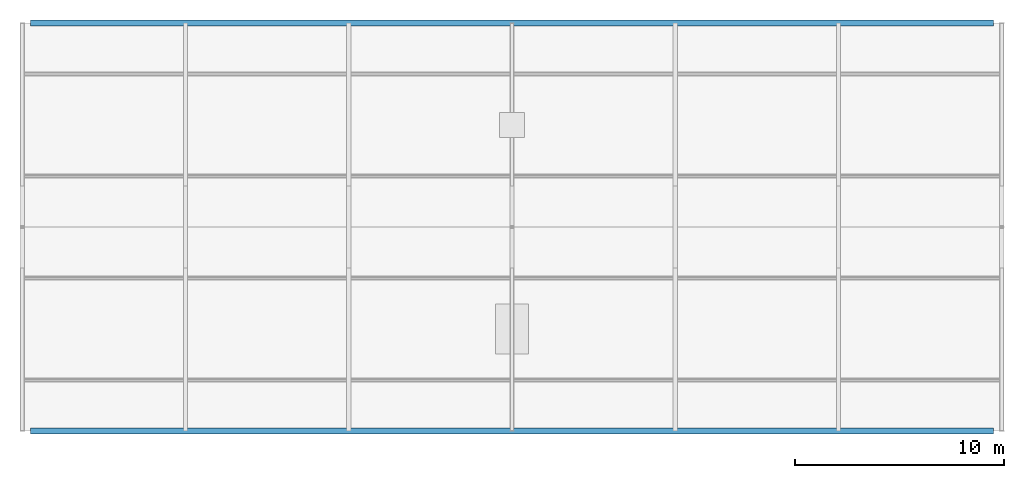
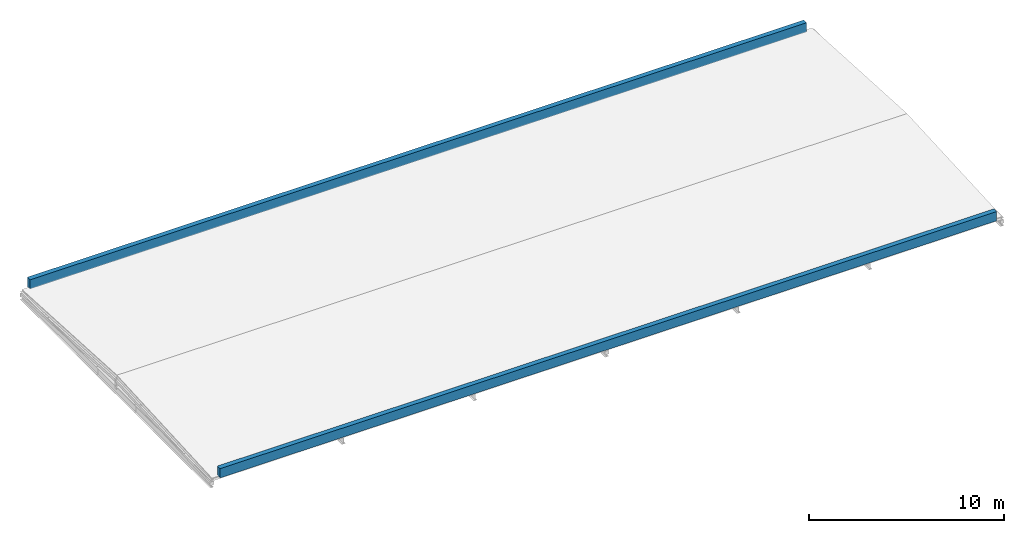
# One storey, part 12 of 13: 2 walls.
"""IFC4 building model written with IfcOpenShell, lengths in metres."""

from ifc_helpers import new_model, si_unit, direction, frame, frame_2d, origin, place, context, subcontext, project, spatial, rectangle, extrude, material, layer, layer_set, type_object, element, save


model = new_model("IFC4")

# Units and contexts
model_context = context("Model", 3, precision=1e-05, world=origin(), true_north=direction((0.0, 1.0)))
body_context = subcontext(model_context, "Body", "Model", "MODEL_VIEW")
ifc_project = project(units=[si_unit("LENGTHUNIT", "METRE"), si_unit("AREAUNIT", "SQUARE_METRE"), si_unit("VOLUMEUNIT", "CUBIC_METRE"), si_unit("PLANEANGLEUNIT", "RADIAN"), si_unit("MASSUNIT", "GRAM", prefix="KILO")], contexts=[model_context])

# Site, building, storey
site_placement = place(None, origin())
site = spatial("IfcSite", under=ifc_project, at=site_placement, CompositionType="ELEMENT")
building_placement = place(site_placement, origin())
building = spatial("IfcBuilding", under=site, at=building_placement, Name="Celorna Specialist Clinic", CompositionType="ELEMENT")
storey_placement = place(building_placement, frame((0.0, 0.0, 27.300048828125)))
storey = spatial("IfcBuildingStorey", under=building, at=storey_placement, Name="RF", CompositionType="ELEMENT", Elevation=27.300048828125)

# Walls
ifc_material = material(Name="Pero Pinheiro Lioz limestone coping wall", Category="masonry")
ifc_layer = layer(ifc_material, 0.280029296875, Name="Pero Pinheiro Lioz limestone coping wall")
ifc_layer_set = layer_set([ifc_layer], Name="Pero Pinheiro Lioz limestone coping wall")
wall_type = type_object("IfcWallType", Name="WT-09", PredefinedType="PARAPET", material=ifc_layer_set)
for number, where, z_axis, x_axis, name in (
    (1, (47.199951171875, 96.5, 0.0), (0.0, 0.0, 1.0), (1.0, 0.0, 0.0), "Lioz roof parapet WT-09 #1"),
    (2, (93.199951171875, 116.0, 0.0), (0.0, 0.0, 1.0), (-1.0, 0.0, 0.0), "Lioz roof parapet WT-09 #2"),
):
    element("IfcWall", number, at=place(storey_placement, frame(where, z_axis=z_axis, x_axis=x_axis)), inside=storey, type_object=wall_type, Name=name, PredefinedType="PARAPET", context=body_context, shape_type="SweptSolid", body=[
        extrude(rectangle(XDim=46.0, YDim=0.280029296875, at=frame_2d((23.0, 0.0))), origin(), (0.0, 0.0, 1.0), 0.579833984375),
    ])

save(model, "model.ifc")
